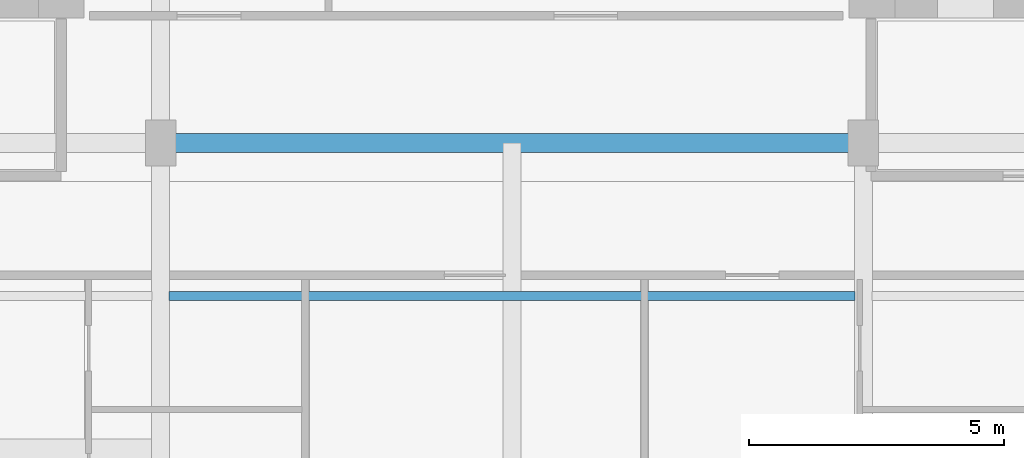
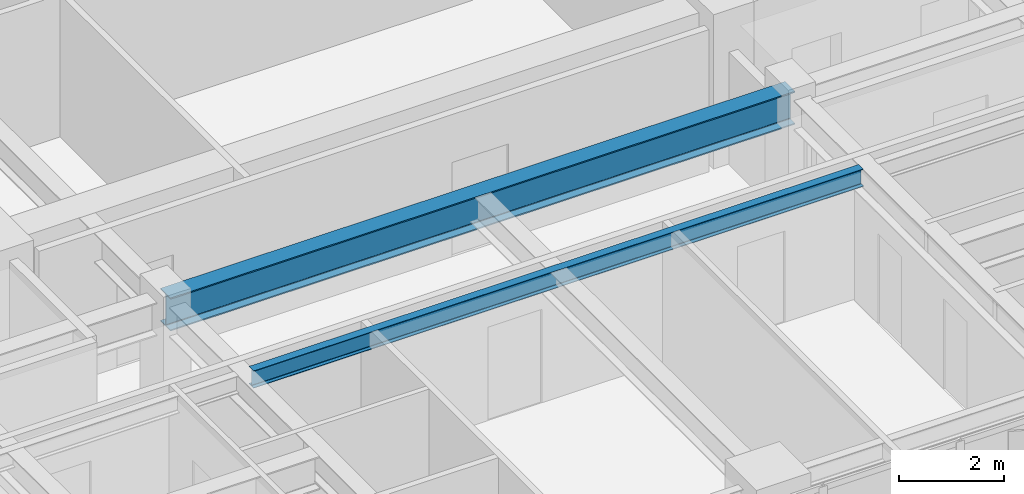
# One storey, part 4 of 24: 2 beams.
"""IFC4 building model written with IfcOpenShell, lengths in metres."""

from ifc_helpers import new_model, si_unit, direction, frame, origin, origin_2d, place, context, subcontext, project, spatial, i_section, extrude, source, transform, mapped, material, material_profile, profile_set, type_object, element, save


model = new_model("IFC4")

# Units and contexts
model_context = context("Model", 3, precision=1e-05, world=origin(), true_north=direction((0.0, 1.0)))
body_context = subcontext(model_context, "Body", "Model", "MODEL_VIEW")
ifc_project = project(units=[si_unit("LENGTHUNIT", "METRE"), si_unit("AREAUNIT", "SQUARE_METRE"), si_unit("VOLUMEUNIT", "CUBIC_METRE"), si_unit("PLANEANGLEUNIT", "RADIAN"), si_unit("MASSUNIT", "GRAM", prefix="KILO")], contexts=[model_context])

# Site, building, storey
site_placement = place(None, origin())
site = spatial("IfcSite", under=ifc_project, at=site_placement, CompositionType="ELEMENT")
building_placement = place(site_placement, origin())
building = spatial("IfcBuilding", under=site, at=building_placement, Name="Khoralis Quay Care Tower", CompositionType="ELEMENT")
storey_placement = place(building_placement, frame((0.0, 0.0, 40.5)))
storey = spatial("IfcBuildingStorey", under=building, at=storey_placement, Name="L10", CompositionType="ELEMENT", Elevation=40.5)

# Beams
ifc_material = material(Name="Steel S355", Category="steel")
ifc_material_profile_1 = material_profile(ifc_material, i_section(OverallWidth=0.381103515625, OverallDepth=0.77294921875, WebThickness=0.0166015625, FlangeThickness=0.027587890625, FilletRadius=0.02197265625, at=origin_2d()), Name="Steel S355")
ifc_profile_set_1 = profile_set([ifc_material_profile_1], Name="Steel S355")
beam_type_1 = type_object("IfcBeamType", Name="BM-W760X257", PredefinedType="BEAM", material=ifc_profile_set_1)
shared_shape_1 = source(origin(), body_context, "Body", "SweptSolid", [
    extrude(i_section(OverallWidth=0.381103515625, OverallDepth=0.77294921875, WebThickness=0.0166015625, FlangeThickness=0.027587890625, FilletRadius=0.02197265625, at=origin_2d()), origin(), (0.0, 0.0, 1.0), 13.7998046875),
])
beam_1_placement = place(storey_placement, frame((17.10009765625, 12.0, 2.93359375), z_axis=(1.0, 0.0, 0.0), x_axis=(0.0, 1.0, 0.0)))
element("IfcBeam", 1, at=beam_1_placement, inside=storey, type_object=beam_type_1, Name="BM-TGCC-L10-120", PredefinedType="BEAM", context=body_context, shape_type="MappedRepresentation", body=[
    mapped(shared_shape_1, transform((0.0, 0.0, 0.0), scale=1.0)),
])
ifc_material_profile_2 = material_profile(ifc_material, i_section(OverallWidth=0.177978515625, OverallDepth=0.406982421875, WebThickness=0.0078125, FlangeThickness=0.0126953125, FilletRadius=0.012939453125, at=origin_2d()), Name="Steel S355")
ifc_profile_set_2 = profile_set([ifc_material_profile_2], Name="Steel S355")
beam_type_2 = type_object("IfcBeamType", Name="BM-W410X60", PredefinedType="JOIST", material=ifc_profile_set_2)
shared_shape_2 = source(origin(), body_context, "Body", "SweptSolid", [
    extrude(i_section(OverallWidth=0.177978515625, OverallDepth=0.406982421875, WebThickness=0.0078125, FlangeThickness=0.0126953125, FilletRadius=0.012939453125, at=origin_2d()), origin(), (0.0, 0.0, 1.0), 13.46923828125),
])
beam_2_placement = place(storey_placement, frame((17.265380859375, 9.0, 3.116455078125), z_axis=(1.0, 0.0, 0.0), x_axis=(0.0, 1.0, 0.0)))
element("IfcBeam", 2, at=beam_2_placement, inside=storey, type_object=beam_type_2, Name="BM-TJS-L10-31", PredefinedType="JOIST", context=body_context, shape_type="MappedRepresentation", body=[
    mapped(shared_shape_2, transform((0.0, 0.0, 0.0), scale=1.0)),
])

save(model, "model.ifc")
